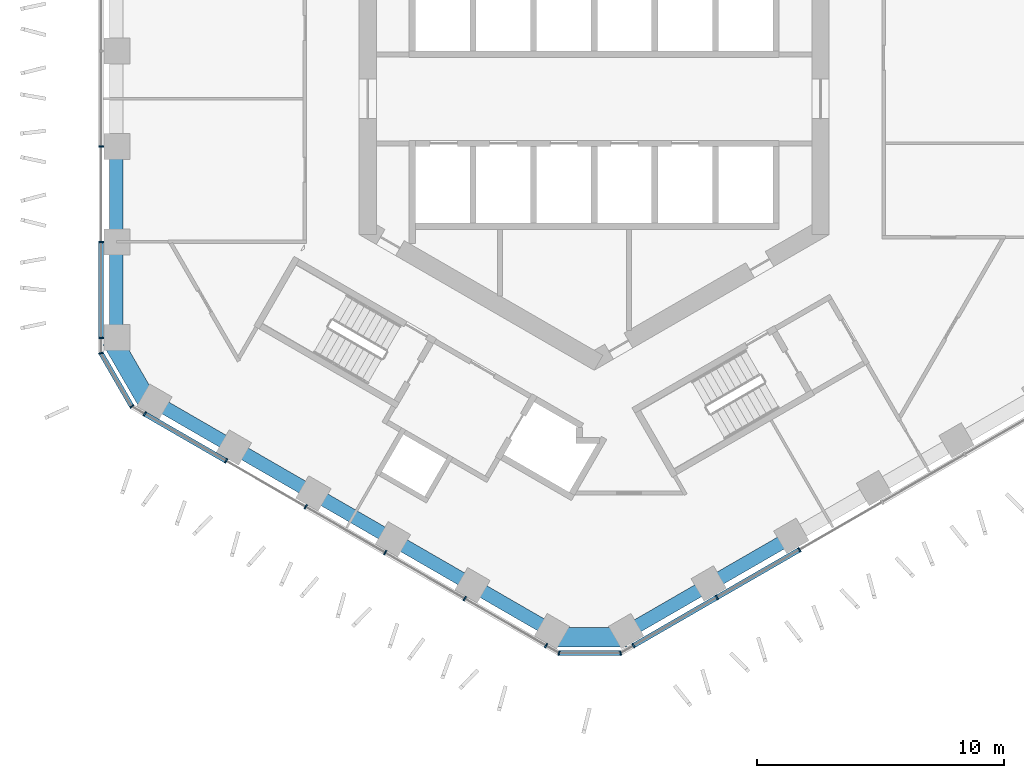
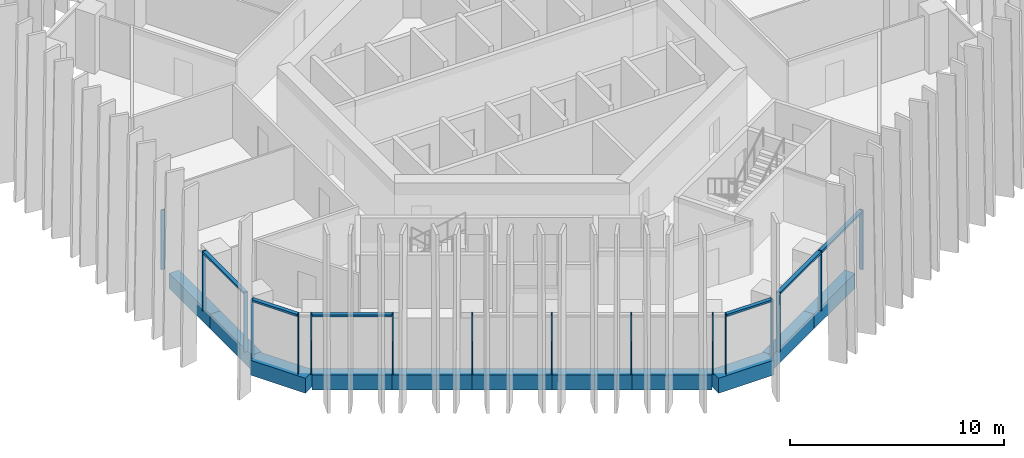
# One storey, part 2 of 19: 21 members, 11 beams, 5 elements without a shape of their own.
"""IFC4 building model written with IfcOpenShell, lengths in metres."""

from ifc_helpers import new_model, si_unit, direction, frame, origin, origin_2d, place, context, subcontext, project, spatial, rectangle, extrude, material, layer, layer_set, material_profile, profile_set, type_object, element, aggregate, save


model = new_model("IFC4")

# Units and contexts
model_context = context("Model", 3, precision=1e-05, world=origin(), true_north=direction((0.0, 1.0)))
body_context = subcontext(model_context, "Body", "Model", "MODEL_VIEW")
ifc_project = project(units=[si_unit("LENGTHUNIT", "METRE"), si_unit("AREAUNIT", "SQUARE_METRE"), si_unit("VOLUMEUNIT", "CUBIC_METRE"), si_unit("PLANEANGLEUNIT", "RADIAN"), si_unit("MASSUNIT", "GRAM", prefix="KILO")], contexts=[model_context])

# Site, building, storey
site_placement = place(None, origin())
site = spatial("IfcSite", under=ifc_project, at=site_placement, CompositionType="ELEMENT")
building_placement = place(site_placement, origin())
building = spatial("IfcBuilding", under=site, at=building_placement, Name="Ayvan Gate Tower", CompositionType="ELEMENT")
storey_placement = place(building_placement, frame((0.0, 0.0, 93.300048828125)))
storey = spatial("IfcBuildingStorey", under=building, at=storey_placement, Name="L24", CompositionType="ELEMENT", Elevation=93.300048828125)

# Beams
ifc_material_1 = material(Name="Concrete C40/50", Category="concrete")
ifc_material_profile_1 = material_profile(ifc_material_1, rectangle(XDim=0.800048828125, YDim=0.85009765625, at=origin_2d()), Name="RC 800x850")
ifc_profile_set_1 = profile_set([ifc_material_profile_1], Name="Concrete C40/50")
beam_type_1 = type_object("IfcBeamType", Name="Corner spandrel beam RC 800x850 C40/50", PredefinedType="BEAM", material=ifc_profile_set_1)
for number, where, z_axis, x_axis, name in (
    (1, (-19.511474609375, -9.722900390625, -0.775146484375), (0.499990139034, -0.866031096941, 0.0), (0.866031096941, 0.499990139034, 0.0), "SB-L24-24"),
    (2, (-1.66455078125, -21.759033203125, -0.775146484375), (1.0, 0.0, 0.0), (0.0, 1.0, 0.0), "SB-L24-30"),
):
    element("IfcBeam", number, at=place(storey_placement, frame(where, z_axis=z_axis, x_axis=x_axis)), inside=storey, type_object=beam_type_1, Name=name, PredefinedType="BEAM", context=body_context, shape_type="SweptSolid", body=[
        extrude(rectangle(XDim=0.800048828125, YDim=0.85009765625, at=origin_2d()), origin(), (0.0, 0.0, 1.0), 3.0),
    ])
ifc_material_profile_2 = material_profile(ifc_material_1, rectangle(XDim=0.550048828125, YDim=0.85009765625, at=origin_2d()), Name="RC 550x850")
ifc_profile_set_2 = profile_set([ifc_material_profile_2], Name="Concrete C40/50")
beam_type_2 = type_object("IfcBeamType", Name="Spandrel beam RC 550x850 C40/50", PredefinedType="BEAM", material=ifc_profile_set_2)
for number, where, z_axis, x_axis, name in (
    (3, (-19.321044921875, -1.922607421875, -0.775146484375), (0.0, -1.0, 0.0), (1.0, 0.0, 0.0), "SB-L24-22"),
    (4, (-19.321044921875, -5.767822265625, -0.775146484375), (0.0, -1.0, 0.0), (1.0, 0.0, 0.0), "SB-L24-23"),
):
    element("IfcBeam", number, at=place(storey_placement, frame(where, z_axis=z_axis, x_axis=x_axis)), inside=storey, type_object=beam_type_2, Name=name, PredefinedType="BEAM", context=body_context, shape_type="SweptSolid", body=[
        extrude(rectangle(XDim=0.550048828125, YDim=0.85009765625, at=origin_2d()), origin(), (0.0, 0.0, 1.0), 3.84521484375),
    ])
for number, where, z_axis, x_axis, name in (
    (5, (-17.821044921875, -12.2109375, -0.775146484375), (0.866003609386, -0.500037747105, 0.0), (0.500037747105, 0.866003609386, 0.0), "SB-L24-25"),
    (6, (-14.58984375, -14.07666015625, -0.775146484375), (0.866048300212, -0.499960340127, 0.0), (0.499960340127, 0.866048300212, 0.0), "SB-L24-26"),
    (7, (-11.3583984375, -15.942138671875, -0.775146484375), (0.866003609386, -0.500037747105, 0.0), (0.500037747105, 0.866003609386, 0.0), "SB-L24-27"),
    (8, (-8.127197265625, -17.807861328125, -0.775146484375), (0.866048300212, -0.499960340127, 0.0), (0.499960340127, 0.866048300212, 0.0), "SB-L24-28"),
    (9, (-4.895751953125, -19.67333984375, -0.775146484375), (0.866003609386, -0.500037747105, 0.0), (0.500037747105, 0.866003609386, 0.0), "SB-L24-29"),
):
    element("IfcBeam", number, at=place(storey_placement, frame(where, z_axis=z_axis, x_axis=x_axis)), inside=storey, type_object=beam_type_2, Name=name, PredefinedType="BEAM", context=body_context, shape_type="SweptSolid", body=[
        extrude(rectangle(XDim=0.550048828125, YDim=0.85009765625, at=origin_2d()), origin(), (0.0, 0.0, 1.0), 3.731201171875),
    ])
for number, where, z_axis, x_axis, name in (
    (10, (1.33544921875, -21.5390625, -0.775146484375), (0.866026989333, 0.499997253739, 0.0), (-0.499997253739, 0.866026989333, 0.0), "SB-L24-31"),
    (11, (4.66552734375, -19.616455078125, -0.775146484375), (0.866026989333, 0.499997253739, 0.0), (-0.499997253739, 0.866026989333, 0.0), "SB-L24-32"),
):
    element("IfcBeam", number, at=place(storey_placement, frame(where, z_axis=z_axis, x_axis=x_axis)), inside=storey, type_object=beam_type_2, Name=name, PredefinedType="BEAM", context=body_context, shape_type="SweptSolid", body=[
        extrude(rectangle(XDim=0.550048828125, YDim=0.85009765625, at=origin_2d()), origin(), (0.0, 0.0, 1.0), 3.84521484375),
    ])

# Curtain wall, members
ifc_material_2 = material(Name="Bronze anodised aluminium", Category="aluminium")
ifc_layer_1 = layer(ifc_material_2, 0.199951171875)
ifc_layer_set_1 = layer_set([ifc_layer_1], Name="Bronze anodised aluminium")
curtain_wall_type_1 = type_object("IfcCurtainWallType", Name="Stick curtain wall CW-1", PredefinedType="NOTDEFINED", material=ifc_layer_set_1)
curtain_wall_1_placement = place(storey_placement, origin())
curtain_wall_1 = element("IfcCurtainWall", 12, at=curtain_wall_1_placement, inside=storey, type_object=curtain_wall_type_1, Name="Stick curtain wall CW-1 L24", PredefinedType="NOTDEFINED")
ifc_material_profile_3 = material_profile(ifc_material_2, rectangle(XDim=0.199951171875, YDim=0.06005859375, at=origin_2d()), Name="Stick curtain wall CW-1 mullion 200 x 60")
ifc_profile_set_3 = profile_set([ifc_material_profile_3], Name="Bronze anodised aluminium")
member_type_1 = type_object("IfcMemberType", Name="Stick curtain wall CW-1 mullion 200 x 60", PredefinedType="MULLION", material=ifc_profile_set_3)
member_1_placement = place(storey_placement, frame((-19.9326171875, -1.927978515625, 0.0), z_axis=(0.0, 0.0, 1.0), x_axis=(-1.0, 0.0, 0.0)))
member_1 = element("IfcMember", 13, at=member_1_placement, type_object=member_type_1, Name="CW-1 mullion 4", PredefinedType="MULLION", context=body_context, shape_type="SweptSolid", body=[
    extrude(rectangle(XDim=0.199951171875, YDim=0.06005859375, at=origin_2d()), origin(), (0.0, 0.0, 1.0), 3.39990234375),
])
member_2_placement = place(storey_placement, frame((-19.9326171875, -5.782958984375, 0.0), z_axis=(0.0, 0.0, 1.0), x_axis=(-1.0, 0.0, 0.0)))
member_2 = element("IfcMember", 14, at=member_2_placement, type_object=member_type_1, Name="CW-1 mullion 5", PredefinedType="MULLION", context=body_context, shape_type="SweptSolid", body=[
    extrude(rectangle(XDim=0.199951171875, YDim=0.06005859375, at=origin_2d()), origin(), (0.0, 0.0, 1.0), 3.39990234375),
])
member_3_placement = place(storey_placement, frame((-19.9326171875, -9.673095703125, 0.0), z_axis=(0.0, 0.0, 1.0), x_axis=(-1.0, 0.0, 0.0)))
member_3 = element("IfcMember", 15, at=member_3_placement, type_object=member_type_1, Name="CW-1 mullion 6", PredefinedType="MULLION", context=body_context, shape_type="SweptSolid", body=[
    extrude(rectangle(XDim=0.199951171875, YDim=0.06005859375, at=origin_2d()), origin(), (0.0, 0.0, 1.0), 3.39990234375),
])

curtain_wall_2_placement = place(storey_placement, origin())
curtain_wall_2 = element("IfcCurtainWall", 16, at=curtain_wall_2_placement, inside=storey, type_object=curtain_wall_type_1, Name="Stick curtain wall CW-1 L24", PredefinedType="NOTDEFINED")
member_4_placement = place(storey_placement, frame((-18.165283203125, -12.73388671875, 0.0), z_axis=(0.0, 0.0, 1.0), x_axis=(-0.5, -0.866025403784, 0.0)))
member_4 = element("IfcMember", 17, at=member_4_placement, type_object=member_type_1, Name="CW-1 mullion 1", PredefinedType="MULLION", context=body_context, shape_type="SweptSolid", body=[
    extrude(rectangle(XDim=0.199951171875, YDim=0.06005859375, at=origin_2d()), origin(), (0.0, 0.0, 1.0), 3.39990234375),
])
member_5_placement = place(storey_placement, frame((-14.876220703125, -14.633056640625, 0.0), z_axis=(0.0, 0.0, 1.0), x_axis=(-0.5, -0.866025403784, 0.0)))
member_5 = element("IfcMember", 18, at=member_5_placement, type_object=member_type_1, Name="CW-1 mullion 2", PredefinedType="MULLION", context=body_context, shape_type="SweptSolid", body=[
    extrude(rectangle(XDim=0.199951171875, YDim=0.06005859375, at=origin_2d()), origin(), (0.0, 0.0, 1.0), 3.39990234375),
])
member_6_placement = place(storey_placement, frame((-11.662353515625, -16.488525390625, 0.0), z_axis=(0.0, 0.0, 1.0), x_axis=(-0.5, -0.866025403784, 0.0)))
member_6 = element("IfcMember", 19, at=member_6_placement, type_object=member_type_1, Name="CW-1 mullion 3", PredefinedType="MULLION", context=body_context, shape_type="SweptSolid", body=[
    extrude(rectangle(XDim=0.199951171875, YDim=0.06005859375, at=origin_2d()), origin(), (0.0, 0.0, 1.0), 3.39990234375),
])
member_7_placement = place(storey_placement, frame((-8.448486328125, -18.343994140625, 0.0), z_axis=(0.0, 0.0, 1.0), x_axis=(-0.5, -0.866025403784, 0.0)))
member_7 = element("IfcMember", 20, at=member_7_placement, type_object=member_type_1, Name="CW-1 mullion 4", PredefinedType="MULLION", context=body_context, shape_type="SweptSolid", body=[
    extrude(rectangle(XDim=0.199951171875, YDim=0.06005859375, at=origin_2d()), origin(), (0.0, 0.0, 1.0), 3.39990234375),
])
member_8_placement = place(storey_placement, frame((-5.23388671875, -20.199951171875, 0.0), z_axis=(0.0, 0.0, 1.0), x_axis=(-0.5, -0.866025403784, 0.0)))
member_8 = element("IfcMember", 21, at=member_8_placement, type_object=member_type_1, Name="CW-1 mullion 5", PredefinedType="MULLION", context=body_context, shape_type="SweptSolid", body=[
    extrude(rectangle(XDim=0.199951171875, YDim=0.06005859375, at=origin_2d()), origin(), (0.0, 0.0, 1.0), 3.39990234375),
])
member_9_placement = place(storey_placement, frame((-1.9453125, -22.0986328125, 0.0), z_axis=(0.0, 0.0, 1.0), x_axis=(-0.5, -0.866025403784, 0.0)))
member_9 = element("IfcMember", 22, at=member_9_placement, type_object=member_type_1, Name="CW-1 mullion 6", PredefinedType="MULLION", context=body_context, shape_type="SweptSolid", body=[
    extrude(rectangle(XDim=0.199951171875, YDim=0.06005859375, at=origin_2d()), origin(), (0.0, 0.0, 1.0), 3.39990234375),
])

curtain_wall_3_placement = place(storey_placement, origin())
curtain_wall_3 = element("IfcCurtainWall", 23, at=curtain_wall_3_placement, inside=storey, type_object=curtain_wall_type_1, Name="Stick curtain wall CW-1 L24", PredefinedType="NOTDEFINED")
member_10_placement = place(storey_placement, frame((1.589111328125, -22.0986328125, 0.0), z_axis=(0.0, 0.0, 1.0), x_axis=(0.5, -0.866025403784, 0.0)))
member_10 = element("IfcMember", 24, at=member_10_placement, type_object=member_type_1, Name="CW-1 mullion 1", PredefinedType="MULLION", context=body_context, shape_type="SweptSolid", body=[
    extrude(rectangle(XDim=0.199951171875, YDim=0.06005859375, at=origin_2d()), origin(), (0.0, 0.0, 1.0), 3.39990234375),
])
member_11_placement = place(storey_placement, frame((4.9580078125, -20.153564453125, 0.0), z_axis=(0.0, 0.0, 1.0), x_axis=(0.5, -0.866025403784, 0.0)))
member_11 = element("IfcMember", 25, at=member_11_placement, type_object=member_type_1, Name="CW-1 mullion 2", PredefinedType="MULLION", context=body_context, shape_type="SweptSolid", body=[
    extrude(rectangle(XDim=0.199951171875, YDim=0.06005859375, at=origin_2d()), origin(), (0.0, 0.0, 1.0), 3.39990234375),
])
member_12_placement = place(storey_placement, frame((8.296630859375, -18.22607421875, 0.0), z_axis=(0.0, 0.0, 1.0), x_axis=(0.5, -0.866025403784, 0.0)))
member_12 = element("IfcMember", 26, at=member_12_placement, type_object=member_type_1, Name="CW-1 mullion 3", PredefinedType="MULLION", context=body_context, shape_type="SweptSolid", body=[
    extrude(rectangle(XDim=0.199951171875, YDim=0.06005859375, at=origin_2d()), origin(), (0.0, 0.0, 1.0), 3.39990234375),
])

# Member
ifc_material_profile_4 = material_profile(ifc_material_2, rectangle(XDim=0.199951171875, YDim=0.1201171875, at=origin_2d()), Name="Stick curtain wall CW-1 transom 200 x 120")
ifc_profile_set_4 = profile_set([ifc_material_profile_4], Name="Bronze anodised aluminium")
member_type_2 = type_object("IfcMemberType", Name="Stick curtain wall CW-1 transom 200 x 120", PredefinedType="USERDEFINED", material=ifc_profile_set_4)
member_13_placement = place(storey_placement, frame((-19.9326171875, -5.81298828125, 3.33984375), z_axis=(0.0, -1.0, 0.0), x_axis=(1.0, 0.0, 0.0)))
member_13 = element("IfcMember", 27, at=member_13_placement, type_object=member_type_2, Name="CW-1 transom 2", ObjectType="TRANSOM", PredefinedType="USERDEFINED", context=body_context, shape_type="SweptSolid", body=[
    extrude(rectangle(XDim=0.199951171875, YDim=0.1201171875, at=origin_2d()), origin(), (0.0, 0.0, 1.0), 3.860107421875),
])

aggregate(curtain_wall_1, [member_1, member_2, member_3, member_13])

member_14_placement = place(storey_placement, frame((-18.165283203125, -12.73388671875, 3.33984375), z_axis=(0.866021579651, -0.500006623535, 0.0), x_axis=(0.500006623535, 0.866021579651, 0.0)))
member_14 = element("IfcMember", 28, at=member_14_placement, type_object=member_type_2, Name="CW-1 transom 1", ObjectType="TRANSOM", PredefinedType="USERDEFINED", context=body_context, shape_type="SweptSolid", body=[
    extrude(rectangle(XDim=0.199951171875, YDim=0.1201171875, at=origin_2d()), origin(), (0.0, 0.0, 1.0), 3.76806640625),
])

aggregate(curtain_wall_2, [member_4, member_5, member_6, member_7, member_8, member_9, member_14])

member_15_placement = place(storey_placement, frame((1.589111328125, -22.0986328125, 3.33984375), z_axis=(0.866030128672, 0.499991816166, 0.0), x_axis=(-0.499991816166, 0.866030128672, 0.0)))
member_15 = element("IfcMember", 29, at=member_15_placement, type_object=member_type_2, Name="CW-1 transom 1", ObjectType="TRANSOM", PredefinedType="USERDEFINED", context=body_context, shape_type="SweptSolid", body=[
    extrude(rectangle(XDim=0.199951171875, YDim=0.1201171875, at=origin_2d()), origin(), (0.0, 0.0, 1.0), 7.715087890625),
])

aggregate(curtain_wall_3, [member_10, member_11, member_12, member_15])

# Curtain wall, members
ifc_layer_2 = layer(ifc_material_2, 0.199951171875)
ifc_layer_set_2 = layer_set([ifc_layer_2], Name="Bronze anodised aluminium")
curtain_wall_type_2 = type_object("IfcCurtainWallType", Name="Stick curtain wall CW-6", PredefinedType="NOTDEFINED", material=ifc_layer_set_2)
curtain_wall_4_placement = place(storey_placement, origin())
curtain_wall_4 = element("IfcCurtainWall", 30, at=curtain_wall_4_placement, inside=storey, type_object=curtain_wall_type_2, Name="Stick curtain wall CW-6 L24", PredefinedType="NOTDEFINED")
ifc_material_profile_5 = material_profile(ifc_material_2, rectangle(XDim=0.199951171875, YDim=0.050048828125, at=origin_2d()), Name="Stick curtain wall CW-6 mullion 200 x 50")
ifc_profile_set_5 = profile_set([ifc_material_profile_5], Name="Bronze anodised aluminium")
member_type_3 = type_object("IfcMemberType", Name="Stick curtain wall CW-6 mullion 200 x 50", PredefinedType="MULLION", material=ifc_profile_set_5)
member_16_placement = place(storey_placement, frame((-19.9326171875, -10.278076171875, 0.0), z_axis=(0.0, 0.0, 1.0), x_axis=(-0.965925826289, -0.258819045103, 0.0)))
member_16 = element("IfcMember", 31, at=member_16_placement, type_object=member_type_3, Name="CW-6 mullion 2", PredefinedType="MULLION", context=body_context, shape_type="SweptSolid", body=[
    extrude(rectangle(XDim=0.199951171875, YDim=0.050048828125, at=origin_2d()), origin(), (0.0, 0.0, 1.0), 3.39990234375),
])
member_17_placement = place(storey_placement, frame((-18.689208984375, -12.431396484375, 0.0), z_axis=(0.0, 0.0, 1.0), x_axis=(-0.707106781187, -0.707106781187, 0.0)))
member_17 = element("IfcMember", 32, at=member_17_placement, type_object=member_type_3, Name="CW-6 mullion 3", PredefinedType="MULLION", context=body_context, shape_type="SweptSolid", body=[
    extrude(rectangle(XDim=0.199951171875, YDim=0.050048828125, at=origin_2d()), origin(), (0.0, 0.0, 1.0), 3.39990234375),
])

curtain_wall_5_placement = place(storey_placement, origin())
curtain_wall_5 = element("IfcCurtainWall", 33, at=curtain_wall_5_placement, inside=storey, type_object=curtain_wall_type_2, Name="Stick curtain wall CW-6 L24", PredefinedType="NOTDEFINED")
member_18_placement = place(storey_placement, frame((-1.42138671875, -22.401123046875, 0.0), z_axis=(0.0, 0.0, 1.0), x_axis=(-0.258819045103, -0.965925826289, 0.0)))
member_18 = element("IfcMember", 34, at=member_18_placement, type_object=member_type_3, Name="CW-6 mullion 2", PredefinedType="MULLION", context=body_context, shape_type="SweptSolid", body=[
    extrude(rectangle(XDim=0.199951171875, YDim=0.050048828125, at=origin_2d()), origin(), (0.0, 0.0, 1.0), 3.39990234375),
])
member_19_placement = place(storey_placement, frame((1.065185546875, -22.401123046875, 0.0), z_axis=(0.0, 0.0, 1.0), x_axis=(0.258819045103, -0.965925826289, 0.0)))
member_19 = element("IfcMember", 35, at=member_19_placement, type_object=member_type_3, Name="CW-6 mullion 3", PredefinedType="MULLION", context=body_context, shape_type="SweptSolid", body=[
    extrude(rectangle(XDim=0.199951171875, YDim=0.050048828125, at=origin_2d()), origin(), (0.0, 0.0, 1.0), 3.39990234375),
])

# Member
ifc_material_profile_6 = material_profile(ifc_material_2, rectangle(XDim=0.199951171875, YDim=0.1201171875, at=origin_2d()), Name="Stick curtain wall CW-6 transom 200 x 120")
ifc_profile_set_6 = profile_set([ifc_material_profile_6], Name="Bronze anodised aluminium")
member_type_4 = type_object("IfcMemberType", Name="Stick curtain wall CW-6 transom 200 x 120", PredefinedType="USERDEFINED", material=ifc_profile_set_6)
member_20_placement = place(storey_placement, frame((-19.919921875, -10.299560546875, 3.33984375), z_axis=(0.499953731509, -0.866052115263, 0.0), x_axis=(0.866052115263, 0.499953731509, 0.0)))
member_20 = element("IfcMember", 36, at=member_20_placement, type_object=member_type_4, Name="CW-6 transom 2", ObjectType="TRANSOM", PredefinedType="USERDEFINED", context=body_context, shape_type="SweptSolid", body=[
    extrude(rectangle(XDim=0.199951171875, YDim=0.1201171875, at=origin_2d()), origin(), (0.0, 0.0, 1.0), 2.436767578125),
])

aggregate(curtain_wall_4, [member_16, member_17, member_20])

member_21_placement = place(storey_placement, frame((-1.396240234375, -22.401123046875, 3.33984375), z_axis=(1.0, 0.0, 0.0), x_axis=(0.0, 1.0, 0.0)))
member_21 = element("IfcMember", 37, at=member_21_placement, type_object=member_type_4, Name="CW-6 transom 2", ObjectType="TRANSOM", PredefinedType="USERDEFINED", context=body_context, shape_type="SweptSolid", body=[
    extrude(rectangle(XDim=0.199951171875, YDim=0.1201171875, at=origin_2d()), origin(), (0.0, 0.0, 1.0), 2.4365234375),
])

aggregate(curtain_wall_5, [member_18, member_19, member_21])

save(model, "model.ifc")
